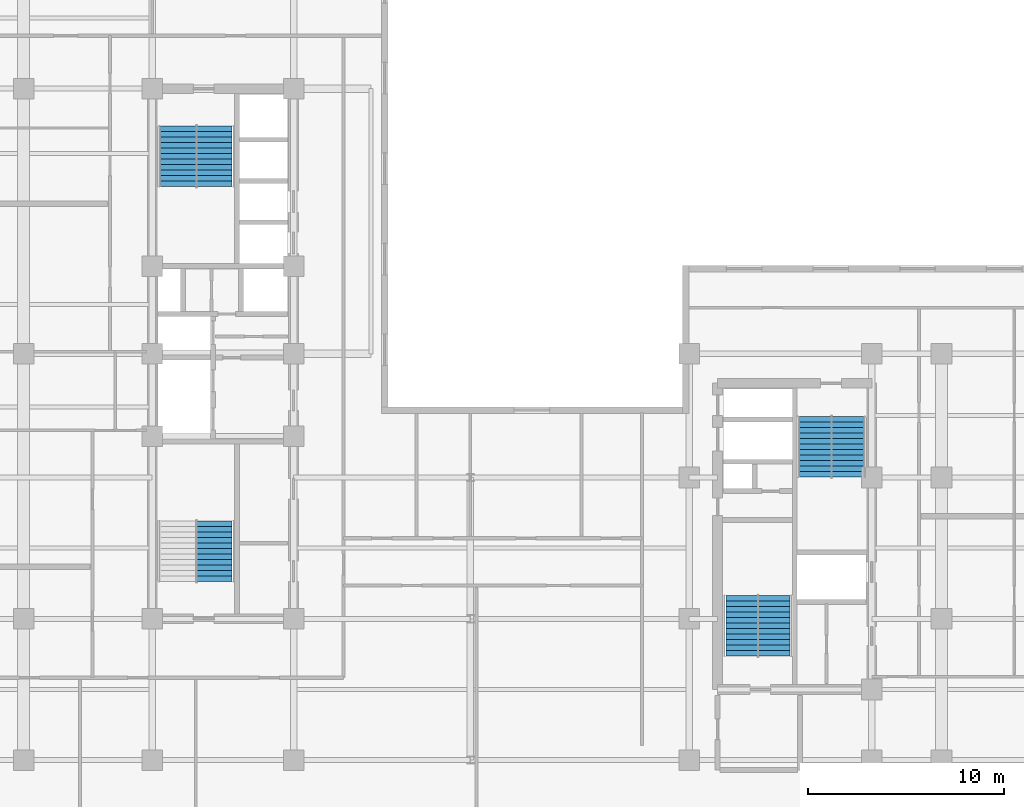
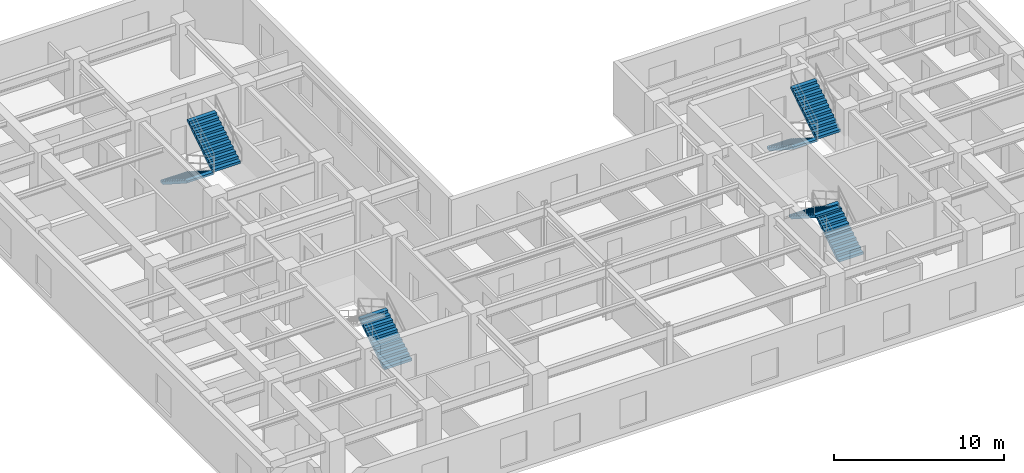
# One storey, part 7 of 10: 7 stair flights, 4 elements without a shape of their own.
"""IFC4 building model written with IfcOpenShell, lengths in metres."""

from ifc_helpers import new_model, entity, si_unit, converted_unit, direction, frame, origin_with_axes, place, context, subcontext, project, spatial, polyline, outline, extrude, material, type_object, element, aggregate, save


model = new_model("IFC4")

# Units and contexts
model_context = context("Model", 3, precision=1e-05, world=origin_with_axes(), true_north=direction((0.0, 1.0)))
body_context = subcontext(model_context, "Body", "Model", "MODEL_VIEW")
ifc_project = project(units=[si_unit("LENGTHUNIT", "METRE"), si_unit("AREAUNIT", "SQUARE_METRE"), si_unit("VOLUMEUNIT", "CUBIC_METRE"), converted_unit("PLANEANGLEUNIT", "DEGREE", entity("IfcPlaneAngleMeasure", 0.017453292519943295), si_unit("PLANEANGLEUNIT", "RADIAN"), dimensions=[0, 0, 0, 0, 0, 0, 0]), si_unit("MASSUNIT", "GRAM", prefix="KILO"), si_unit("THERMODYNAMICTEMPERATUREUNIT", "KELVIN")], contexts=[model_context])

# Site, building, storey
site_placement = place(None, origin_with_axes())
site = spatial("IfcSite", under=ifc_project, at=site_placement, CompositionType="ELEMENT")
building_placement = place(site_placement, origin_with_axes())
building = spatial("IfcBuilding", under=site, at=building_placement, Name="Varnlund Millrace Tower", CompositionType="ELEMENT")
storey_placement = place(building_placement, frame((0.0, 0.0, 160.2), z_axis=(0.0, 0.0, 1.0), x_axis=(1.0, 0.0, 0.0)))
storey = spatial("IfcBuildingStorey", under=building, at=storey_placement, Name="L39", CompositionType="ELEMENT", Elevation=160.2)

# Stair, stair flights
ifc_material_1 = material(Name="Concrete C50/60", Category="concrete")
stair_type_1 = type_object("IfcStairType", Name="Type-Stair-Dogleg-165-390", PredefinedType="HALF_TURN_STAIR", material=ifc_material_1)
stair_1_placement = place(storey_placement, origin_with_axes())
stair_1 = element("IfcStair", 1, at=stair_1_placement, inside=storey, type_object=stair_type_1, Name="Type-Stair-Dogleg-165-390", PredefinedType="HALF_TURN_STAIR")
ifc_material_2 = material(Name="Precast concrete C50/60", Category="concrete")
stair_flight_type_1 = type_object("IfcStairFlightType", Name="Type-Dogleg-Run-165-390", PredefinedType="STRAIGHT", material=ifc_material_2)
stair_flight_1_placement = place(storey_placement, frame((42.225, 8.9, 0.0), z_axis=(1.0, 0.0, 0.0), x_axis=(0.0, 1.0, 0.0)))
stair_flight_1 = element("IfcStairFlight", 2, at=stair_flight_1_placement, type_object=stair_flight_type_1, Name="ST-B1 flight 1", NumberOfRisers=11, NumberOfTreads=11, PredefinedType="STRAIGHT", RiserHeight=0.177273, TreadLength=0.28, context=body_context, shape_type="SweptSolid", body=[
    extrude(outline(polyline([(0.0, 0.0), (0.0, 0.177273), (0.28, 0.177273), (0.28, 0.354545), (0.56, 0.354545), (0.56, 0.531818), (0.84, 0.531818), (0.84, 0.709091), (1.12, 0.709091), (1.12, 0.886364), (1.4, 0.886364), (1.4, 1.063636), (1.68, 1.063636), (1.68, 1.240909), (1.96, 1.240909), (1.96, 1.418182), (2.24, 1.418182), (2.24, 1.595454), (2.52, 1.595454), (2.52, 1.772727), (2.8, 1.772727), (2.8, 1.95), (3.08, 1.95), (3.08, 1.8), (0.28, 0.0), (0.0, 0.0)])), origin_with_axes(), (0.0, 0.0, 1.0), 1.65),
])
stair_flight_2_placement = place(storey_placement, frame((42.275, 11.98, 1.95), z_axis=(-1.0, 0.0, 0.0), x_axis=(0.0, -1.0, 0.0)))
stair_flight_2 = element("IfcStairFlight", 3, at=stair_flight_2_placement, type_object=stair_flight_type_1, Name="ST-B1 flight 2", NumberOfRisers=11, NumberOfTreads=11, PredefinedType="STRAIGHT", RiserHeight=0.177273, TreadLength=0.28, context=body_context, shape_type="SweptSolid", body=[
    extrude(outline(polyline([(0.0, 0.0), (0.0, 0.177273), (0.28, 0.177273), (0.28, 0.354545), (0.56, 0.354545), (0.56, 0.531818), (0.84, 0.531818), (0.84, 0.709091), (1.12, 0.709091), (1.12, 0.886364), (1.4, 0.886364), (1.4, 1.063636), (1.68, 1.063636), (1.68, 1.240909), (1.96, 1.240909), (1.96, 1.418182), (2.24, 1.418182), (2.24, 1.595454), (2.52, 1.595454), (2.52, 1.772727), (2.8, 1.772727), (2.8, 1.95), (3.08, 1.95), (3.08, 1.8), (0.28, 0.0), (0.0, 0.0)])), origin_with_axes(), (0.0, 0.0, 1.0), 1.65),
])
aggregate(stair_1, [stair_flight_1, stair_flight_2])

stair_2_placement = place(storey_placement, origin_with_axes())
stair_2 = element("IfcStair", 4, at=stair_2_placement, inside=storey, type_object=stair_type_1, Name="Type-Stair-Dogleg-165-390", PredefinedType="HALF_TURN_STAIR")
stair_flight_3_placement = place(storey_placement, frame((46.025, 21.1, 0.0), z_axis=(-1.0, 0.0, 0.0), x_axis=(0.0, -1.0, 0.0)))
stair_flight_3 = element("IfcStairFlight", 5, at=stair_flight_3_placement, type_object=stair_flight_type_1, Name="ST-B2 flight 1", NumberOfRisers=11, NumberOfTreads=11, PredefinedType="STRAIGHT", RiserHeight=0.177273, TreadLength=0.28, context=body_context, shape_type="SweptSolid", body=[
    extrude(outline(polyline([(0.0, 0.0), (0.0, 0.177273), (0.28, 0.177273), (0.28, 0.354545), (0.56, 0.354545), (0.56, 0.531818), (0.84, 0.531818), (0.84, 0.709091), (1.12, 0.709091), (1.12, 0.886364), (1.4, 0.886364), (1.4, 1.063636), (1.68, 1.063636), (1.68, 1.240909), (1.96, 1.240909), (1.96, 1.418182), (2.24, 1.418182), (2.24, 1.595454), (2.52, 1.595454), (2.52, 1.772727), (2.8, 1.772727), (2.8, 1.95), (3.08, 1.95), (3.08, 1.8), (0.28, 0.0), (0.0, 0.0)])), origin_with_axes(), (0.0, 0.0, 1.0), 1.65),
])
stair_flight_4_placement = place(storey_placement, frame((45.975, 18.02, 1.95), z_axis=(1.0, 0.0, 0.0), x_axis=(0.0, 1.0, 0.0)))
stair_flight_4 = element("IfcStairFlight", 6, at=stair_flight_4_placement, type_object=stair_flight_type_1, Name="ST-B2 flight 2", NumberOfRisers=11, NumberOfTreads=11, PredefinedType="STRAIGHT", RiserHeight=0.177273, TreadLength=0.28, context=body_context, shape_type="SweptSolid", body=[
    extrude(outline(polyline([(0.0, 0.0), (0.0, 0.177273), (0.28, 0.177273), (0.28, 0.354545), (0.56, 0.354545), (0.56, 0.531818), (0.84, 0.531818), (0.84, 0.709091), (1.12, 0.709091), (1.12, 0.886364), (1.4, 0.886364), (1.4, 1.063636), (1.68, 1.063636), (1.68, 1.240909), (1.96, 1.240909), (1.96, 1.418182), (2.24, 1.418182), (2.24, 1.595454), (2.52, 1.595454), (2.52, 1.772727), (2.8, 1.772727), (2.8, 1.95), (3.08, 1.95), (3.08, 1.8), (0.28, 0.0), (0.0, 0.0)])), origin_with_axes(), (0.0, 0.0, 1.0), 1.65),
])
aggregate(stair_2, [stair_flight_3, stair_flight_4])

# Stair, stair flight
stair_type_2 = type_object("IfcStairType", Name="Type-Stair-Dogleg-185-390", PredefinedType="HALF_TURN_STAIR", material=ifc_material_1)
stair_3_placement = place(storey_placement, origin_with_axes())
stair_3 = element("IfcStair", 7, at=stair_3_placement, inside=storey, type_object=stair_type_2, Name="Type-Stair-Dogleg-185-390", PredefinedType="HALF_TURN_STAIR")
stair_flight_type_2 = type_object("IfcStairFlightType", Name="Type-Dogleg-Run-185-390", PredefinedType="STRAIGHT", material=ifc_material_2)
stair_flight_5_placement = place(storey_placement, frame((13.625, 12.7, 0.0), z_axis=(1.0, 0.0, 0.0), x_axis=(0.0, 1.0, 0.0)))
stair_flight_5 = element("IfcStairFlight", 8, at=stair_flight_5_placement, type_object=stair_flight_type_2, Name="ST-A1 flight 1", NumberOfRisers=11, NumberOfTreads=11, PredefinedType="STRAIGHT", RiserHeight=0.177273, TreadLength=0.28, context=body_context, shape_type="SweptSolid", body=[
    extrude(outline(polyline([(0.0, 0.0), (0.0, 0.177273), (0.28, 0.177273), (0.28, 0.354545), (0.56, 0.354545), (0.56, 0.531818), (0.84, 0.531818), (0.84, 0.709091), (1.12, 0.709091), (1.12, 0.886364), (1.4, 0.886364), (1.4, 1.063636), (1.68, 1.063636), (1.68, 1.240909), (1.96, 1.240909), (1.96, 1.418182), (2.24, 1.418182), (2.24, 1.595454), (2.52, 1.595454), (2.52, 1.772727), (2.8, 1.772727), (2.8, 1.95), (3.08, 1.95), (3.08, 1.8), (0.28, 0.0), (0.0, 0.0)])), origin_with_axes(), (0.0, 0.0, 1.0), 1.85),
])
aggregate(stair_3, [stair_flight_5])

# Stair, stair flights
stair_4_placement = place(storey_placement, origin_with_axes())
stair_4 = element("IfcStair", 9, at=stair_4_placement, inside=storey, type_object=stair_type_2, Name="Type-Stair-Dogleg-185-390", PredefinedType="HALF_TURN_STAIR")
stair_flight_6_placement = place(storey_placement, frame((13.675, 35.9, 0.0), z_axis=(-1.0, 0.0, 0.0), x_axis=(0.0, -1.0, 0.0)))
stair_flight_6 = element("IfcStairFlight", 10, at=stair_flight_6_placement, type_object=stair_flight_type_2, Name="ST-A2 flight 1", NumberOfRisers=11, NumberOfTreads=11, PredefinedType="STRAIGHT", RiserHeight=0.177273, TreadLength=0.28, context=body_context, shape_type="SweptSolid", body=[
    extrude(outline(polyline([(0.0, 0.0), (0.0, 0.177273), (0.28, 0.177273), (0.28, 0.354545), (0.56, 0.354545), (0.56, 0.531818), (0.84, 0.531818), (0.84, 0.709091), (1.12, 0.709091), (1.12, 0.886364), (1.4, 0.886364), (1.4, 1.063636), (1.68, 1.063636), (1.68, 1.240909), (1.96, 1.240909), (1.96, 1.418182), (2.24, 1.418182), (2.24, 1.595454), (2.52, 1.595454), (2.52, 1.772727), (2.8, 1.772727), (2.8, 1.95), (3.08, 1.95), (3.08, 1.8), (0.28, 0.0), (0.0, 0.0)])), origin_with_axes(), (0.0, 0.0, 1.0), 1.85),
])
stair_flight_7_placement = place(storey_placement, frame((13.625, 32.82, 1.95), z_axis=(1.0, 0.0, 0.0), x_axis=(0.0, 1.0, 0.0)))
stair_flight_7 = element("IfcStairFlight", 11, at=stair_flight_7_placement, type_object=stair_flight_type_2, Name="ST-A2 flight 2", NumberOfRisers=11, NumberOfTreads=11, PredefinedType="STRAIGHT", RiserHeight=0.177273, TreadLength=0.28, context=body_context, shape_type="SweptSolid", body=[
    extrude(outline(polyline([(0.0, 0.0), (0.0, 0.177273), (0.28, 0.177273), (0.28, 0.354545), (0.56, 0.354545), (0.56, 0.531818), (0.84, 0.531818), (0.84, 0.709091), (1.12, 0.709091), (1.12, 0.886364), (1.4, 0.886364), (1.4, 1.063636), (1.68, 1.063636), (1.68, 1.240909), (1.96, 1.240909), (1.96, 1.418182), (2.24, 1.418182), (2.24, 1.595454), (2.52, 1.595454), (2.52, 1.772727), (2.8, 1.772727), (2.8, 1.95), (3.08, 1.95), (3.08, 1.8), (0.28, 0.0), (0.0, 0.0)])), origin_with_axes(), (0.0, 0.0, 1.0), 1.85),
])
aggregate(stair_4, [stair_flight_6, stair_flight_7])

save(model, "model.ifc")
